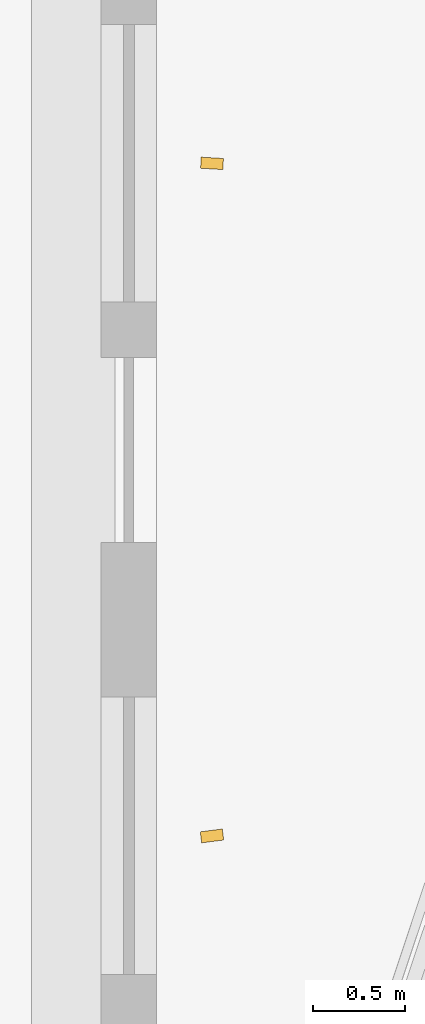
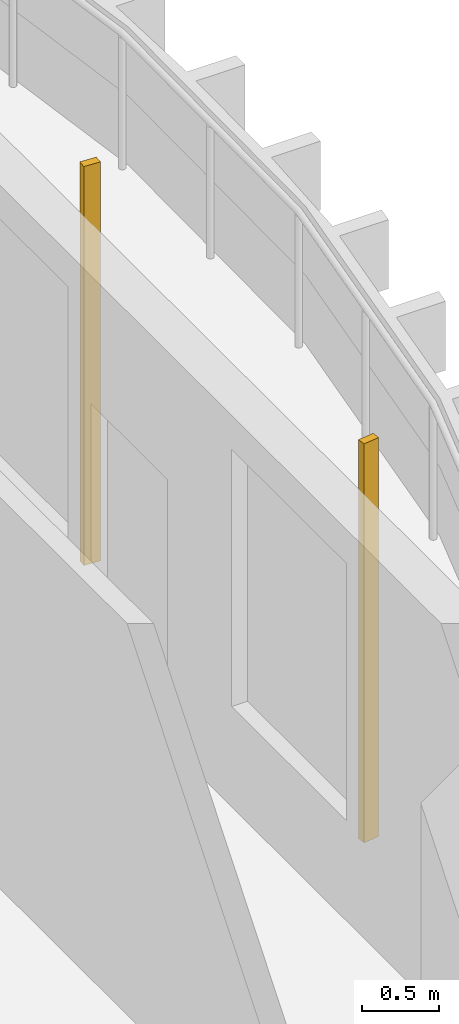
# One storey, part 15 of 17: 2 shading devices.
"""IFC4 building model written with IfcOpenShell, lengths in metres."""

from ifc_helpers import new_model, si_unit, direction, frame, origin, origin_2d, place, context, subcontext, project, spatial, rectangle, extrude, source, transform, mapped, material, material_profile, profile_set, type_object, element, save


model = new_model("IFC4")

# Units and contexts
model_context = context("Model", 3, precision=1e-05, world=origin(), true_north=direction((0.0, 1.0)))
body_context = subcontext(model_context, "Body", "Model", "MODEL_VIEW")
ifc_project = project(units=[si_unit("LENGTHUNIT", "METRE"), si_unit("AREAUNIT", "SQUARE_METRE"), si_unit("VOLUMEUNIT", "CUBIC_METRE"), si_unit("PLANEANGLEUNIT", "RADIAN"), si_unit("MASSUNIT", "GRAM", prefix="KILO")], contexts=[model_context])

# Site, building, storey
site_placement = place(None, origin())
site = spatial("IfcSite", under=ifc_project, at=site_placement, CompositionType="ELEMENT")
building_placement = place(site_placement, origin())
building = spatial("IfcBuilding", under=site, at=building_placement, Name="Kilnfold Tower and Market Hall", CompositionType="ELEMENT")
storey_placement = place(building_placement, frame((0.0, 0.0, 301.800048828125)))
storey = spatial("IfcBuildingStorey", under=building, at=storey_placement, Name="L75", CompositionType="ELEMENT", Elevation=301.800048828125)

# Shading devices
ifc_material = material(Name="Terracotta", Category="masonry")
ifc_material_profile = material_profile(ifc_material, rectangle(XDim=0.06005859375, YDim=0.1201171875, at=origin_2d()), Name="BAG 60x120")
ifc_profile_set = profile_set([ifc_material_profile], Name="Terracotta")
shading_device_type = type_object("IfcShadingDeviceType", Name="BAGUETTE", PredefinedType="USERDEFINED", material=ifc_profile_set)
shared_shape = source(origin(), body_context, "Body", "SweptSolid", [
    extrude(rectangle(XDim=0.06005859375, YDim=0.1201171875, at=origin_2d()), origin(), (0.0, 0.0, 1.0), 3.179931640625),
])
for number, where, z_axis, x_axis, name in (
    (1, (23.800048828125, 2.925048828125, 0.0), (0.0, 0.0, 1.0), (-0.128788673404, 0.991672061522, 0.0), "Terracotta baguette L75 E"),
    (2, (23.800048828125, 6.5625, 0.0), (0.0, 0.0, 1.0), (0.060896978406, 0.998144056748, 0.0), "Terracotta baguette L75 E"),
):
    element("IfcShadingDevice", number, at=place(storey_placement, frame(where, z_axis=z_axis, x_axis=x_axis)), inside=storey, type_object=shading_device_type, Name=name, ObjectType="BAGUETTE", PredefinedType="USERDEFINED", context=body_context, shape_type="MappedRepresentation", body=[
        mapped(shared_shape, transform((0.0, 0.0, 0.0))),
    ])

save(model, "model.ifc")
